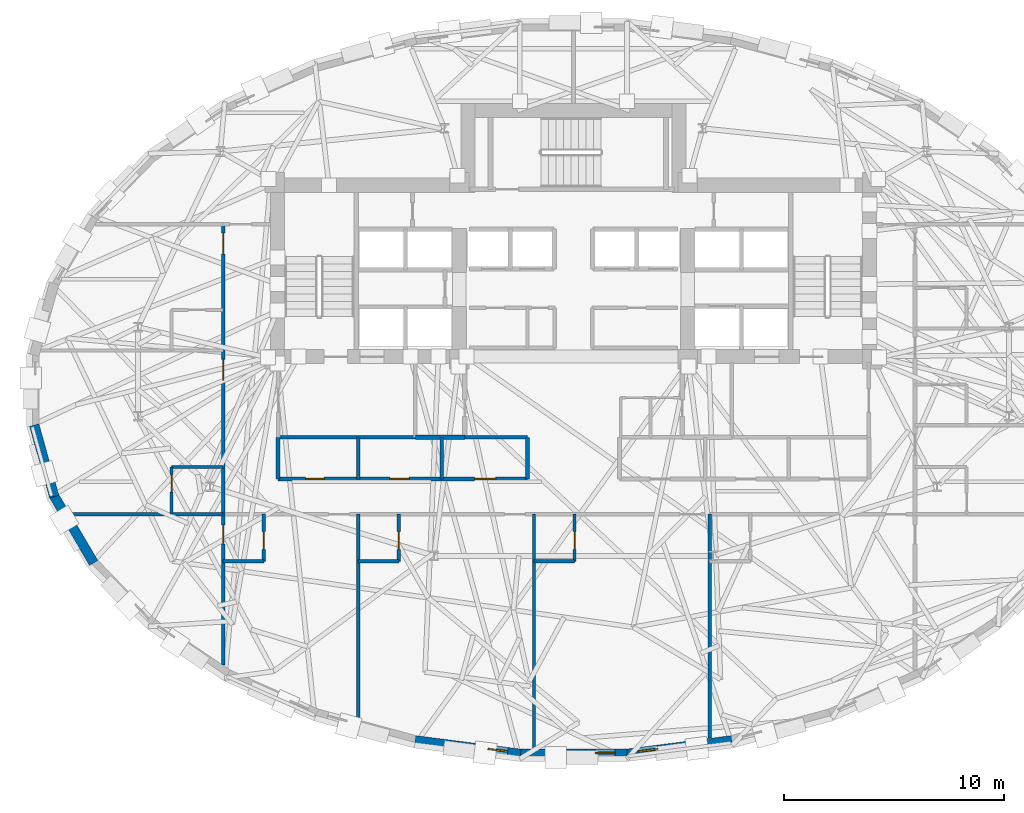
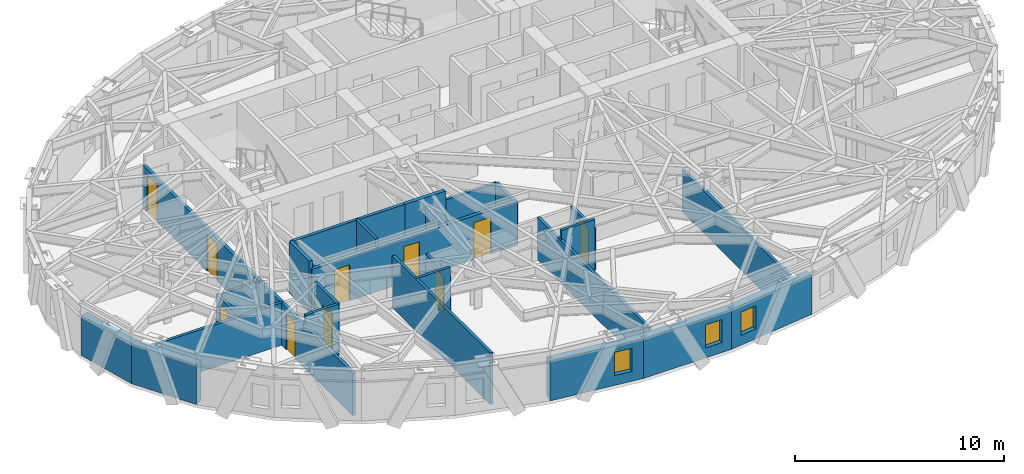
# One storey, part 6 of 15: 26 walls, 10 doors, 3 windows, 13 openings.
"""IFC4 building model written with IfcOpenShell, lengths in metres."""

import ifcopenshell
import ifcopenshell.guid

model = None  # the IFC model being written
_history = None  # IfcOwnerHistory: only IFC2X3 demands one
_inside = {}  # id of a spatial element -> (the spatial element, [elements in it])
_under = {}  # id of a project, library or spatial element -> (it, [spatial elements below it])
_declared = {}  # id of a project -> (the project, [libraries it declares])
_typed = {}  # id of a type object -> (the type object, [elements of that type])
_made_of = {}  # id of a material, layer set ... -> (it, [elements and type objects made of it])


def new_model(schema):
    """Start an empty IFC model of exactly this schema.

    Asked for "IFC4X3", IfcOpenShell would pick the latest addendum, in which some entities
    have other attributes; the version numbers below select the first issue.
    IFC2X3 requires an IfcOwnerHistory on every rooted entity: one is made here for all.
    """
    global model, _history
    if schema == "IFC4X3":
        model = ifcopenshell.file(schema_version=(4, 3, 0, 0))
    else:
        model = ifcopenshell.file(schema=schema)
    _inside.clear()
    _under.clear()
    _declared.clear()
    _typed.clear()
    _made_of.clear()
    _history = None
    if model.schema == "IFC2X3":
        org = make("IfcOrganization", Name="unknown")
        user = make(
            "IfcPersonAndOrganization",
            ThePerson=make("IfcPerson", FamilyName="unknown"),
            TheOrganization=org,
        )
        app = make(
            "IfcApplication",
            ApplicationDeveloper=org,
            Version="unknown",
            ApplicationFullName="unknown",
            ApplicationIdentifier="unknown",
        )
        _history = make(
            "IfcOwnerHistory",
            OwningUser=user,
            OwningApplication=app,
            ChangeAction="ADDED",
            CreationDate=0,
        )
    return model


def make(cls, **values):
    """One entity of the class cls with the attributes given. An attribute that is None is left unset."""
    return model.create_entity(
        cls, **{name: value for name, value in values.items() if value is not None}
    )


def rooted(cls, **values):
    """An entity with a GlobalId (a new one), such as an element, a storey or a relation."""
    return make(cls, GlobalId=ifcopenshell.guid.new(), OwnerHistory=_history, **values)


def si_unit(unit_type, name, prefix=None):
    """IfcSIUnit, for example si_unit("LENGTHUNIT", "METRE", prefix="MILLI")."""
    return make("IfcSIUnit", UnitType=unit_type, Prefix=prefix, Name=name)


def assignment(units):
    """IfcUnitAssignment: the units of a project."""
    return None if units is None else make("IfcUnitAssignment", Units=units)


def point(xyz):
    """IfcCartesianPoint."""
    return None if xyz is None else make("IfcCartesianPoint", Coordinates=xyz)


def direction(xyz):
    """IfcDirection."""
    return None if xyz is None else make("IfcDirection", DirectionRatios=xyz)


def frame(location, z_axis=None, x_axis=None):
    """IfcAxis2Placement3D, a coordinate frame: its origin and axes. An axis left out is left unset."""
    return make(
        "IfcAxis2Placement3D",
        Location=point(location),
        Axis=direction(z_axis),
        RefDirection=direction(x_axis),
    )


def frame_2d(location, x_axis=None):
    """IfcAxis2Placement2D, a coordinate frame in the plane: its origin and x axis."""
    return make(
        "IfcAxis2Placement2D", Location=point(location), RefDirection=direction(x_axis)
    )


def origin():
    """The frame at (0, 0, 0) with its axes left unset."""
    return frame((0.0, 0.0, 0.0))


def place(relative_to, where):
    """IfcLocalPlacement: puts the frame where relative to a parent placement (None: the world)."""
    return make(
        "IfcLocalPlacement", PlacementRelTo=relative_to, RelativePlacement=where
    )


def context(
    kind, dimensions, precision=None, world=None, true_north=None, identifier=None
):
    """IfcGeometricRepresentationContext, for example the 3D "Model" context."""
    return make(
        "IfcGeometricRepresentationContext",
        ContextIdentifier=identifier,
        ContextType=kind,
        CoordinateSpaceDimension=dimensions,
        Precision=precision,
        WorldCoordinateSystem=world,
        TrueNorth=true_north,
    )


def subcontext(parent, identifier, kind, view, scale=None):
    """IfcGeometricRepresentationSubContext, for example "Body" below "Model"."""
    return make(
        "IfcGeometricRepresentationSubContext",
        ContextIdentifier=identifier,
        ContextType=kind,
        ParentContext=parent,
        TargetScale=scale,
        TargetView=view,
    )


def project(units=None, contexts=None):
    """IfcProject with its units and contexts."""
    return rooted(
        "IfcProject",
        Name="project",
        RepresentationContexts=contexts,
        UnitsInContext=assignment(units),
    )


def spatial(cls, under=None, at=None, **own):
    """A site, building, storey or space (cls), placed at a placement, below another one or the project."""
    s = rooted(cls, ObjectPlacement=at, **own)
    if under is not None:
        _under.setdefault(under.id(), (under, []))[1].append(s)
    return s


def profile(cls, at=None, kind="AREA", **sizes):
    """A parametric profile (cls). Its sizes go by their IFC names, for example OverallWidth=200.0."""
    return make(cls, ProfileType=kind, Position=at, **sizes)


def rectangle(**sizes):
    """IfcRectangleProfileDef."""
    return profile("IfcRectangleProfileDef", **sizes)


def extrude(swept, where, along, depth):
    """IfcExtrudedAreaSolid: the profile swept, set in the frame where, extruded along a direction by depth."""
    return make(
        "IfcExtrudedAreaSolid",
        SweptArea=swept,
        Position=where,
        ExtrudedDirection=direction(along),
        Depth=depth,
    )


def shape(context_of_items, identifier, shape_type, items):
    """IfcShapeRepresentation: the items that make up one representation, for example the "Body"."""
    return make(
        "IfcShapeRepresentation",
        ContextOfItems=context_of_items,
        RepresentationIdentifier=identifier,
        RepresentationType=shape_type,
        Items=items,
    )


def material(Name=None, Category=None):
    """IfcMaterial."""
    return make("IfcMaterial", Name=Name, Category=Category)


def layer(
    of_material, thickness, ventilated=None, Name=None, Category=None, Priority=None
):
    """IfcMaterialLayer: one layer of a wall or slab, of a material (None: an air gap)."""
    return make(
        "IfcMaterialLayer",
        Material=of_material,
        LayerThickness=thickness,
        IsVentilated=ventilated,
        Name=Name,
        Category=Category,
        Priority=Priority,
    )


def layer_set(layers, Name=None):
    """IfcMaterialLayerSet."""
    return make("IfcMaterialLayerSet", MaterialLayers=layers, LayerSetName=Name)


def made_of(thing, what):
    """Note that an element or type object is made of a material, layer set ...; save() writes the relation."""
    if what is not None:
        _made_of.setdefault(what.id(), (what, []))[1].append(thing)
    return thing


def type_object(cls, material=None, **own):
    """A type object (cls), such as IfcWallType, which elements share."""
    return made_of(rooted(cls, **own), material)


def element(
    cls,
    number,
    at=None,
    inside=None,
    cuts=None,
    type_object=None,
    material=None,
    context=None,
    identifier="Body",
    shape_type=None,
    held_by="IfcProductDefinitionShape",
    body=None,
    shapes=None,
    **own,
):
    """One element of the class cls, such as IfcWall. Its Tag is "e" and its number.

    at: its placement. inside: the storey or other place that contains it. cuts: it is an
    opening in that element (IfcRelVoidsElement). A single representation is given by context,
    identifier, shape_type and body (its items); several are given by shapes. held_by: the class
    of the entity that holds the representations. save() writes the other relations.
    """
    e = rooted(cls, Tag="e%d" % number, ObjectPlacement=at, **own)
    if body is not None:
        shapes = [shape(context, identifier, shape_type, body)]
    if shapes is not None:
        e.Representation = make(held_by, Representations=shapes)
    if inside is not None:
        _inside.setdefault(inside.id(), (inside, []))[1].append(e)
    if cuts is not None:
        rooted(
            "IfcRelVoidsElement", RelatingBuildingElement=cuts, RelatedOpeningElement=e
        )
    if type_object is not None:
        _typed.setdefault(type_object.id(), (type_object, []))[1].append(e)
    return made_of(e, material)


def fill(opening, filler):
    """IfcRelFillsElement: the door or window that sits in an opening."""
    return rooted(
        "IfcRelFillsElement",
        RelatingOpeningElement=opening,
        RelatedBuildingElement=filler,
    )


def aggregate(whole, parts):
    """IfcRelAggregates: a whole, such as a stair, and the parts it consists of."""
    return rooted("IfcRelAggregates", RelatingObject=whole, RelatedObjects=parts)


def save(model, path):
    """Write the relations noted so far, then the file.

    IfcRelAggregates (storeys below a building ...), IfcRelContainedInSpatialStructure (elements
    in a storey), IfcRelDefinesByType, IfcRelAssociatesMaterial and IfcRelDeclares: one each for
    every whole, place, type object, material and project.
    """
    for whole, parts in _under.values():
        aggregate(whole, parts)
    for where, things in _inside.values():
        rooted(
            "IfcRelContainedInSpatialStructure",
            RelatedElements=things,
            RelatingStructure=where,
        )
    for kind, things in _typed.values():
        rooted("IfcRelDefinesByType", RelatedObjects=things, RelatingType=kind)
    for what, things in _made_of.values():
        rooted("IfcRelAssociatesMaterial", RelatedObjects=things, RelatingMaterial=what)
    for by, libraries in _declared.values():
        rooted("IfcRelDeclares", RelatingContext=by, RelatedDefinitions=libraries)
    model.write(path)


model = new_model("IFC4")

# Units and contexts
model_context = context("Model", 3, precision=1e-05, world=origin(), true_north=direction((0.0, 1.0)))
body_context = subcontext(model_context, "Body", "Model", "MODEL_VIEW")
ifc_project = project(units=[si_unit("LENGTHUNIT", "METRE"), si_unit("AREAUNIT", "SQUARE_METRE"), si_unit("VOLUMEUNIT", "CUBIC_METRE"), si_unit("PLANEANGLEUNIT", "RADIAN"), si_unit("MASSUNIT", "GRAM", prefix="KILO")], contexts=[model_context])

# Site, building, storey
site_placement = place(None, origin())
site = spatial("IfcSite", under=ifc_project, at=site_placement, CompositionType="ELEMENT")
building_placement = place(site_placement, origin())
building = spatial("IfcBuilding", under=site, at=building_placement, Name="Keldmark Tower", CompositionType="ELEMENT")
storey_placement = place(building_placement, frame((0.0, 0.0, 159.800048828125)))
storey = spatial("IfcBuildingStorey", under=building, at=storey_placement, Name="L43", CompositionType="ELEMENT", Elevation=159.800048828125)

# Wall, openings, doors
ifc_material_1 = material(Name="Heavy Acoustic Plumbing Chase Gypsum Assembly", Category="gypsum")
ifc_layer_1 = layer(ifc_material_1, 0.18994140625)
ifc_layer_set_1 = layer_set([ifc_layer_1], Name="Heavy Acoustic Plumbing Chase Gypsum Assembly")
wall_type_1 = type_object("IfcWallType", Name="Heavy Wet Wall 190 mm", PredefinedType="PLUMBINGWALL", material=ifc_layer_set_1)
wall_1_placement = place(storey_placement, frame((-13.449951171875, -4.050048828125, 0.0), z_axis=(0.0, 0.0, 1.0), x_axis=(1.0, 0.0, 0.0)))
wall_1 = element("IfcWall", 1, at=wall_1_placement, inside=storey, type_object=wall_type_1, Name="L43 Heavy Wet Wall 190 mm SPK-W-S", PredefinedType="PLUMBINGWALL", context=body_context, shape_type="SweptSolid", body=[
    extrude(rectangle(XDim=11.349853515625, YDim=0.18994140625, at=frame_2d((5.6748046875, 0.0))), origin(), (0.0, 0.0, 1.0), 2.554931640625),
])
opening_1_placement = place(wall_1_placement, frame((1.25, 0.0, 0.0)))
opening_1 = element("IfcOpeningElement", 2, at=opening_1_placement, cuts=wall_1, Name="Opening D-WC085", PredefinedType="OPENING", context=body_context, shape_type="SweptSolid", body=[
    extrude(rectangle(XDim=0.85009765625, YDim=2.10009765625, at=frame_2d((0.425048828125, 1.050048828125))), frame((0.0, 0.10498046875, 0.0), z_axis=(0.0, -1.0, 0.0), x_axis=(1.0, 0.0, 0.0)), (0.0, 0.0, 1.0), 0.2099609375),
])
opening_2_placement = place(wall_1_placement, frame((5.10009765625, 0.0, 0.0)))
opening_2 = element("IfcOpeningElement", 3, at=opening_2_placement, cuts=wall_1, Name="Opening D-WC085", PredefinedType="OPENING", context=body_context, shape_type="SweptSolid", body=[
    extrude(rectangle(XDim=0.85009765625, YDim=2.10009765625, at=frame_2d((0.425048828125, 1.050048828125))), frame((0.0, 0.10498046875, 0.0), z_axis=(0.0, -1.0, 0.0), x_axis=(1.0, 0.0, 0.0)), (0.0, 0.0, 1.0), 0.2099609375),
])
opening_3_placement = place(wall_1_placement, frame((8.949951171875, 0.0, 0.0)))
opening_3 = element("IfcOpeningElement", 4, at=opening_3_placement, cuts=wall_1, Name="Opening D-AWC95", PredefinedType="OPENING", context=body_context, shape_type="SweptSolid", body=[
    extrude(rectangle(XDim=0.949951171875, YDim=2.14990234375, at=frame_2d((0.47509765625, 1.074951171875))), frame((0.0, 0.10498046875, 0.0), z_axis=(0.0, -1.0, 0.0), x_axis=(1.0, 0.0, 0.0)), (0.0, 0.0, 1.0), 0.2099609375),
])
ifc_material_2 = material(Name="Painted Solid-Core Architectural Wood", Category="wood")
door_type_1 = type_object("IfcDoorType", Name="Accessible WC Door 950x2150", OperationType="NOTDEFINED", PredefinedType="DOOR", material=ifc_material_2)
door_1_placement = place(opening_3_placement, origin())
door_1 = element("IfcDoor", 5, at=door_1_placement, inside=storey, type_object=door_type_1, Name="L43 Accessible WC Door 950x2150 D-SPKW3-L43", OperationType="SINGLE_SWING_LEFT", OverallHeight=2.14990234375, OverallWidth=0.949951171875, PredefinedType="DOOR", context=body_context, shape_type="SweptSolid", body=[
    extrude(rectangle(XDim=0.949951171875, YDim=2.14990234375, at=frame_2d((0.47509765625, 1.074951171875))), frame((0.0, 0.02490234375, 0.0), z_axis=(0.0, -1.0, 0.0), x_axis=(1.0, 0.0, 0.0)), (0.0, 0.0, 1.0), 0.050048828125),
])
fill(opening_3, door_1)
ifc_material_3 = material(Name="Moisture-Sealed Painted Wood", Category="wood")
door_type_2 = type_object("IfcDoorType", Name="WC Door 850x2100", OperationType="NOTDEFINED", PredefinedType="DOOR", material=ifc_material_3)
door_2_placement = place(opening_1_placement, origin())
door_2 = element("IfcDoor", 6, at=door_2_placement, inside=storey, type_object=door_type_2, Name="L43 WC Door 850x2100 D-SPKW1-L43", OperationType="SINGLE_SWING_LEFT", OverallHeight=2.10009765625, OverallWidth=0.85009765625, PredefinedType="DOOR", context=body_context, shape_type="SweptSolid", body=[
    extrude(rectangle(XDim=0.85009765625, YDim=2.10009765625, at=frame_2d((0.425048828125, 1.050048828125))), frame((0.0, 0.02490234375, 0.0), z_axis=(0.0, -1.0, 0.0), x_axis=(1.0, 0.0, 0.0)), (0.0, 0.0, 1.0), 0.050048828125),
])
fill(opening_1, door_2)
door_3_placement = place(opening_2_placement, origin())
door_3 = element("IfcDoor", 7, at=door_3_placement, inside=storey, type_object=door_type_2, Name="L43 WC Door 850x2100 D-SPKW2-L43", OperationType="SINGLE_SWING_RIGHT", OverallHeight=2.10009765625, OverallWidth=0.85009765625, PredefinedType="DOOR", context=body_context, shape_type="SweptSolid", body=[
    extrude(rectangle(XDim=0.85009765625, YDim=2.10009765625, at=frame_2d((0.425048828125, 1.050048828125))), frame((0.0, 0.02490234375, 0.0), z_axis=(0.0, -1.0, 0.0), x_axis=(1.0, 0.0, 0.0)), (0.0, 0.0, 1.0), 0.050048828125),
])
fill(opening_2, door_3)

# Walls
wall_2_placement = place(storey_placement, frame((-13.449951171875, -4.050048828125, 0.0), z_axis=(0.0, 0.0, 1.0), x_axis=(0.0, 1.0, 0.0)))
element("IfcWall", 8, at=wall_2_placement, inside=storey, type_object=wall_type_1, Name="L43 Heavy Wet Wall 190 mm SPK-W-W", PredefinedType="PLUMBINGWALL", context=body_context, shape_type="SweptSolid", body=[
    extrude(rectangle(XDim=1.900146484375, YDim=0.18994140625, at=frame_2d((0.9501953125, 0.0))), origin(), (0.0, 0.0, 1.0), 3.02001953125),
])
wall_3_placement = place(storey_placement, frame((-2.10009765625, -4.050048828125, 0.0), z_axis=(0.0, 0.0, 1.0), x_axis=(0.0, 1.0, 0.0)))
element("IfcWall", 9, at=wall_3_placement, inside=storey, type_object=wall_type_1, Name="L43 Heavy Wet Wall 190 mm SPK-W-E", PredefinedType="PLUMBINGWALL", context=body_context, shape_type="SweptSolid", body=[
    extrude(rectangle(XDim=1.900146484375, YDim=0.18994140625, at=frame_2d((0.9501953125, 0.0))), origin(), (0.0, 0.0, 1.0), 2.472900390625),
])
ifc_material_4 = material(Name="Type X Fire-Rated Gypsum Partition Assembly", Category="gypsum")
ifc_layer_2 = layer(ifc_material_4, 0.1650390625)
ifc_layer_set_2 = layer_set([ifc_layer_2], Name="Type X Fire-Rated Gypsum Partition Assembly")
wall_type_2 = type_object("IfcWallType", Name="Rated Partition 165 mm", PredefinedType="PARTITIONING", material=ifc_layer_set_2)
wall_4_placement = place(storey_placement, frame((-13.449951171875, -2.14990234375, 0.0), z_axis=(0.0, 0.0, 1.0), x_axis=(1.0, 0.0, 0.0)))
element("IfcWall", 10, at=wall_4_placement, inside=storey, type_object=wall_type_2, Name="L43 Rated Partition 165 mm FSAE-W-S", PredefinedType="PARTITIONING", context=body_context, shape_type="SweptSolid", body=[
    extrude(rectangle(XDim=6.25, YDim=0.1650390625, at=frame_2d((3.125, 0.0))), origin(), (0.0, 0.0, 1.0), 3.02001953125),
])

# Wall, openings, doors
wall_5_placement = place(storey_placement, frame((-15.949951171875, -12.528076171875, 0.0), z_axis=(0.0, 0.0, 1.0), x_axis=(0.0, 1.0, 0.0)))
wall_5 = element("IfcWall", 11, at=wall_5_placement, inside=storey, type_object=wall_type_2, Name="L43 Rated Partition 165 mm HCOR-W", PredefinedType="PARTITIONING", context=body_context, shape_type="SweptSolid", body=[
    extrude(rectangle(XDim=20.078125, YDim=0.1650390625, at=frame_2d((10.0390625, 0.0))), origin(), (0.0, 0.0, 1.0), 2.472900390625),
])
opening_4_placement = place(wall_5_placement, frame((5.527587890625, 0.0, 0.0)))
opening_4 = element("IfcOpeningElement", 12, at=opening_4_placement, cuts=wall_5, Name="Opening D-IN085", PredefinedType="OPENING", context=body_context, shape_type="SweptSolid", body=[
    extrude(rectangle(XDim=0.85009765625, YDim=2.10009765625, at=frame_2d((0.425048828125, 1.050048828125))), frame((0.0, 0.092529296875, 0.0), z_axis=(0.0, -1.0, 0.0), x_axis=(1.0, 0.0, 0.0)), (0.0, 0.0, 1.0), 0.18505859375),
])
opening_5_placement = place(wall_5_placement, frame((12.977783203125, 0.0, 0.0)))
opening_5 = element("IfcOpeningElement", 13, at=opening_5_placement, cuts=wall_5, Name="Opening D-HT095", PredefinedType="OPENING", context=body_context, shape_type="SweptSolid", body=[
    extrude(rectangle(XDim=0.949951171875, YDim=2.14990234375, at=frame_2d((0.47509765625, 1.074951171875))), frame((0.0, 0.092529296875, 0.0), z_axis=(0.0, -1.0, 0.0), x_axis=(1.0, 0.0, 0.0)), (0.0, 0.0, 1.0), 0.18505859375),
])
opening_6_placement = place(wall_5_placement, frame((18.727783203125, 0.0, 0.0)))
opening_6 = element("IfcOpeningElement", 14, at=opening_6_placement, cuts=wall_5, Name="Opening D-HT095", PredefinedType="OPENING", context=body_context, shape_type="SweptSolid", body=[
    extrude(rectangle(XDim=0.949951171875, YDim=2.14990234375, at=frame_2d((0.47509765625, 1.074951171875))), frame((0.0, 0.092529296875, 0.0), z_axis=(0.0, -1.0, 0.0), x_axis=(1.0, 0.0, 0.0)), (0.0, 0.0, 1.0), 0.18505859375),
])
ifc_material_5 = material(Name="Solid-Core Acoustic White Oak Fire-Rated Assembly", Category="wood")
door_type_3 = type_object("IfcDoorType", Name="Hotel Entry Door 950x2150", OperationType="NOTDEFINED", PredefinedType="DOOR", material=ifc_material_5)
door_4_placement = place(opening_5_placement, origin())
door_4 = element("IfcDoor", 15, at=door_4_placement, inside=storey, type_object=door_type_3, Name="L43 Hotel Entry Door 950x2150 D-HR-5-L43", OperationType="SINGLE_SWING_RIGHT", OverallHeight=2.14990234375, OverallWidth=0.949951171875, PredefinedType="DOOR", context=body_context, shape_type="SweptSolid", body=[
    extrude(rectangle(XDim=0.949951171875, YDim=2.14990234375, at=frame_2d((0.47509765625, 1.074951171875))), frame((0.0, 0.02490234375, 0.0), z_axis=(0.0, -1.0, 0.0), x_axis=(1.0, 0.0, 0.0)), (0.0, 0.0, 1.0), 0.050048828125),
])
fill(opening_5, door_4)
door_5_placement = place(opening_6_placement, origin())
door_5 = element("IfcDoor", 16, at=door_5_placement, inside=storey, type_object=door_type_3, Name="L43 Hotel Entry Door 950x2150 D-HR-6-L43", OperationType="SINGLE_SWING_RIGHT", OverallHeight=2.14990234375, OverallWidth=0.949951171875, PredefinedType="DOOR", context=body_context, shape_type="SweptSolid", body=[
    extrude(rectangle(XDim=0.949951171875, YDim=2.14990234375, at=frame_2d((0.47509765625, 1.074951171875))), frame((0.0, 0.02490234375, 0.0), z_axis=(0.0, -1.0, 0.0), x_axis=(1.0, 0.0, 0.0)), (0.0, 0.0, 1.0), 0.050048828125),
])
fill(opening_6, door_5)
ifc_material_6 = material(Name="Painted Architectural Wood", Category="wood")
door_type_4 = type_object("IfcDoorType", Name="Interior Door 850x2100", OperationType="NOTDEFINED", PredefinedType="DOOR", material=ifc_material_6)
door_6_placement = place(opening_4_placement, origin())
door_6 = element("IfcDoor", 17, at=door_6_placement, inside=storey, type_object=door_type_4, Name="L43 Interior Door 850x2100 D-HKSW-L43", OperationType="SINGLE_SWING_LEFT", OverallHeight=2.10009765625, OverallWidth=0.85009765625, PredefinedType="DOOR", context=body_context, shape_type="SweptSolid", body=[
    extrude(rectangle(XDim=0.85009765625, YDim=2.10009765625, at=frame_2d((0.425048828125, 1.050048828125))), frame((0.0, 0.02490234375, 0.0), z_axis=(0.0, -1.0, 0.0), x_axis=(1.0, 0.0, 0.0)), (0.0, 0.0, 1.0), 0.050048828125),
])
fill(opening_4, door_6)

# Walls
ifc_material_7 = material(Name="Fire-Resistant Type X Gypsum Shaftliner Coreboard", Category="gypsum")
ifc_layer_3 = layer(ifc_material_7, 0.199951171875)
ifc_layer_set_3 = layer_set([ifc_layer_3], Name="Fire-Resistant Type X Gypsum Shaftliner Coreboard")
wall_type_3 = type_object("IfcWallType", Name="Shaft Wall 200 mm", PredefinedType="SOLIDWALL", material=ifc_layer_set_3)
wall_6_placement = place(storey_placement, frame((-7.199951171875, -2.14990234375, 0.0), z_axis=(0.0, 0.0, 1.0), x_axis=(1.0, 0.0, 0.0)))
element("IfcWall", 18, at=wall_6_placement, inside=storey, type_object=wall_type_3, Name="L43 Shaft Wall 200 mm RIS-SW-S", PredefinedType="SOLIDWALL", context=body_context, shape_type="SweptSolid", body=[
    extrude(rectangle(XDim=2.25, YDim=0.199951171875, at=frame_2d((1.125, 0.0))), origin(), (0.0, 0.0, 1.0), 3.02001953125),
])
ifc_material_8 = material(Name="Ironspot Manganese Brick and Kasota Buff Limestone Spandrel Assembly", Category="masonry")
ifc_layer_4 = layer(ifc_material_8, 0.43994140625)
ifc_layer_set_4 = layer_set([ifc_layer_4], Name="Ironspot Manganese Brick and Kasota Buff Limestone Spandrel Assembly")
wall_type_4 = type_object("IfcWallType", Name="Tower Brick Pier and Spandrel Wall 440 mm", PredefinedType="STANDARD", material=ifc_layer_set_4)
wall_7_placement = place(storey_placement, frame((-23.64501953125, -4.846435546875, 0.0), z_axis=(0.0, 0.0, 1.0), x_axis=(-0.269235699479, 0.963074315993, 0.0)))
element("IfcWall", 19, at=wall_7_placement, inside=storey, type_object=wall_type_4, Name="L43 Exterior Brick and Spandrel Wall 17", PredefinedType="STANDARD", context=body_context, shape_type="SweptSolid", body=[
    extrude(rectangle(XDim=3.376953125, YDim=0.43994140625, at=frame_2d((1.6884765625, 0.0))), origin(), (0.0, 0.0, 1.0), 2.31494140625),
])
wall_8_placement = place(storey_placement, frame((-21.847412109375, -7.87255859375, 0.0), z_axis=(0.0, 0.0, 1.0), x_axis=(-0.508883387051, 0.860835465338, 0.0)))
element("IfcWall", 20, at=wall_8_placement, inside=storey, type_object=wall_type_4, Name="L43 Exterior Brick and Spandrel Wall 18", PredefinedType="STANDARD", context=body_context, shape_type="SweptSolid", body=[
    extrude(rectangle(XDim=3.57666015625, YDim=0.43994140625, at=frame_2d((1.788330078125, 0.0))), origin(), (0.0, 0.0, 1.0), 2.31494140625),
])

# Wall, opening, window
wall_9_placement = place(storey_placement, frame((-2.4111328125, -16.56982421875, 0.0), z_axis=(0.0, 0.0, 1.0), x_axis=(-0.991852910824, 0.127388395426, 0.0)))
wall_9 = element("IfcWall", 21, at=wall_9_placement, inside=storey, type_object=wall_type_4, Name="L43 Exterior Brick and Spandrel Wall 23", PredefinedType="STANDARD", context=body_context, shape_type="SweptSolid", body=[
    extrude(rectangle(XDim=4.837158203125, YDim=0.43994140625, at=frame_2d((2.41845703125, 0.0))), origin(), (0.0, 0.0, 1.0), 2.31494140625),
])
opening_7_placement = place(wall_9_placement, frame((0.598388671875, 0.0, 0.580078125)))
opening_7 = element("IfcOpeningElement", 22, at=opening_7_placement, cuts=wall_9, Name="Opening W-09", PredefinedType="OPENING", context=body_context, shape_type="SweptSolid", body=[
    extrude(rectangle(XDim=0.89990234375, YDim=1.35009765625, at=frame_2d((0.449951171875, 0.675048828125))), frame((0.0, 0.22998046875, 0.0), z_axis=(0.0, -1.0, 0.0), x_axis=(1.0, 0.0, 0.0)), (0.0, 0.0, 1.0), 0.4599609375),
])
ifc_material_9 = material(Name="Thermally Broken Anodized Aluminum and Triple Low-E Argon Glazing", Category="aluminium")
window_type = type_object("IfcWindowType", Name="Corner Pier Deep-Set Window 900x1350", PartitioningType="SINGLE_PANEL", PredefinedType="WINDOW", material=ifc_material_9)
window_1_placement = place(opening_7_placement, origin())
window_1 = element("IfcWindow", 23, at=window_1_placement, inside=storey, type_object=window_type, Name="L43 Deep-Set Window 23", OverallHeight=1.35009765625, OverallWidth=0.89990234375, PartitioningType="SINGLE_PANEL", PredefinedType="WINDOW", context=body_context, shape_type="SweptSolid", body=[
    extrude(rectangle(XDim=0.89990234375, YDim=1.35009765625, at=frame_2d((0.449951171875, 0.675048828125))), frame((0.0, -0.010009765625, 0.0), z_axis=(0.0, -1.0, 0.0), x_axis=(1.0, 0.0, 0.0)), (0.0, 0.0, 1.0), 0.06005859375),
])
fill(opening_7, window_1)

wall_10_placement = place(storey_placement, frame((2.439208984375, -16.568115234375, 0.0), z_axis=(0.0, 0.0, 1.0), x_axis=(-1.0, 0.0, 0.0)))
wall_10 = element("IfcWall", 24, at=wall_10_placement, inside=storey, type_object=wall_type_4, Name="L43 Exterior Brick and Spandrel Wall 24", PredefinedType="STANDARD", context=body_context, shape_type="SweptSolid", body=[
    extrude(rectangle(XDim=4.87841796875, YDim=0.43994140625, at=frame_2d((2.439208984375, 0.0))), origin(), (0.0, 0.0, 1.0), 2.31494140625),
])
opening_8_placement = place(wall_10_placement, frame((0.5478515625, 0.0, 0.580078125)))
opening_8 = element("IfcOpeningElement", 25, at=opening_8_placement, cuts=wall_10, Name="Opening W-09", PredefinedType="OPENING", context=body_context, shape_type="SweptSolid", body=[
    extrude(rectangle(XDim=0.89990234375, YDim=1.35009765625, at=frame_2d((0.449951171875, 0.675048828125))), frame((0.0, 0.22998046875, 0.0), z_axis=(0.0, -1.0, 0.0), x_axis=(1.0, 0.0, 0.0)), (0.0, 0.0, 1.0), 0.4599609375),
])
window_2_placement = place(opening_8_placement, origin())
window_2 = element("IfcWindow", 26, at=window_2_placement, inside=storey, type_object=window_type, Name="L43 Deep-Set Window 24", OverallHeight=1.35009765625, OverallWidth=0.89990234375, PartitioningType="SINGLE_PANEL", PredefinedType="WINDOW", context=body_context, shape_type="SweptSolid", body=[
    extrude(rectangle(XDim=0.89990234375, YDim=1.35009765625, at=frame_2d((0.449951171875, 0.675048828125))), frame((0.0, -0.010009765625, 0.0), z_axis=(0.0, -1.0, 0.0), x_axis=(1.0, 0.0, 0.0)), (0.0, 0.0, 1.0), 0.06005859375),
])
fill(opening_8, window_2)

wall_11_placement = place(storey_placement, frame((7.208984375, -15.95361328125, 0.0), z_axis=(0.0, 0.0, 1.0), x_axis=(-0.991852910824, -0.127388395426, 0.0)))
wall_11 = element("IfcWall", 27, at=wall_11_placement, inside=storey, type_object=wall_type_4, Name="L43 Exterior Brick and Spandrel Wall 25", PredefinedType="STANDARD", context=body_context, shape_type="SweptSolid", body=[
    extrude(rectangle(XDim=4.837158203125, YDim=0.43994140625, at=frame_2d((2.41845703125, 0.0))), origin(), (0.0, 0.0, 1.0), 2.31494140625),
])
opening_9_placement = place(wall_11_placement, frame((3.388427734375, 0.0, 0.580078125)))
opening_9 = element("IfcOpeningElement", 28, at=opening_9_placement, cuts=wall_11, Name="Opening W-09", PredefinedType="OPENING", context=body_context, shape_type="SweptSolid", body=[
    extrude(rectangle(XDim=0.89990234375, YDim=1.35009765625, at=frame_2d((0.449951171875, 0.675048828125))), frame((0.0, 0.22998046875, 0.0), z_axis=(0.0, -1.0, 0.0), x_axis=(1.0, 0.0, 0.0)), (0.0, 0.0, 1.0), 0.4599609375),
])
window_3_placement = place(opening_9_placement, origin())
window_3 = element("IfcWindow", 29, at=window_3_placement, inside=storey, type_object=window_type, Name="L43 Deep-Set Window 25", OverallHeight=1.35009765625, OverallWidth=0.89990234375, PartitioningType="SINGLE_PANEL", PredefinedType="WINDOW", context=body_context, shape_type="SweptSolid", body=[
    extrude(rectangle(XDim=0.89990234375, YDim=1.35009765625, at=frame_2d((0.449951171875, 0.675048828125))), frame((0.0, -0.010009765625, 0.0), z_axis=(0.0, -1.0, 0.0), x_axis=(1.0, 0.0, 0.0)), (0.0, 0.0, 1.0), 0.06005859375),
])
fill(opening_9, window_3)

# Walls
ifc_material_10 = material(Name="Moisture-Resistant Gypsum Plumbing Partition", Category="gypsum")
ifc_layer_5 = layer(ifc_material_10, 0.14990234375)
ifc_layer_set_5 = layer_set([ifc_layer_5], Name="Moisture-Resistant Gypsum Plumbing Partition")
wall_type_5 = type_object("IfcWallType", Name="Wet Wall 150 mm", PredefinedType="PLUMBINGWALL", material=ifc_layer_set_5)
wall_12_placement = place(storey_placement, frame((-4.949951171875, -2.14990234375, 0.0), z_axis=(0.0, 0.0, 1.0), x_axis=(1.0, 0.0, 0.0)))
element("IfcWall", 30, at=wall_12_placement, inside=storey, type_object=wall_type_5, Name="L43 Wet Wall 150 mm SPK-W-N", PredefinedType="PLUMBINGWALL", context=body_context, shape_type="SweptSolid", body=[
    extrude(rectangle(XDim=2.849853515625, YDim=0.14990234375, at=frame_2d((1.4248046875, 0.0))), origin(), (0.0, 0.0, 1.0), 2.472900390625),
])
wall_13_placement = place(storey_placement, frame((-9.800048828125, -4.050048828125, 0.0), z_axis=(0.0, 0.0, 1.0), x_axis=(0.0, 1.0, 0.0)))
element("IfcWall", 31, at=wall_13_placement, inside=storey, type_object=wall_type_5, Name="L43 Wet Wall 150 mm SPK-W-D1", PredefinedType="PLUMBINGWALL", context=body_context, shape_type="SweptSolid", body=[
    extrude(rectangle(XDim=1.900146484375, YDim=0.14990234375, at=frame_2d((0.9501953125, 0.0))), origin(), (0.0, 0.0, 1.0), 3.02001953125),
])
wall_14_placement = place(storey_placement, frame((-6.0, -4.050048828125, 0.0), z_axis=(0.0, 0.0, 1.0), x_axis=(0.0, 1.0, 0.0)))
element("IfcWall", 32, at=wall_14_placement, inside=storey, type_object=wall_type_5, Name="L43 Wet Wall 150 mm SPK-W-D2", PredefinedType="PLUMBINGWALL", context=body_context, shape_type="SweptSolid", body=[
    extrude(rectangle(XDim=1.900146484375, YDim=0.14990234375, at=frame_2d((0.9501953125, 0.0))), origin(), (0.0, 0.0, 1.0), 2.472900390625),
])
wall_15_placement = place(storey_placement, frame((-22.896484375, -5.64990234375, 0.0), z_axis=(0.0, 0.0, 1.0), x_axis=(1.0, 0.0, 0.0)))
element("IfcWall", 33, at=wall_15_placement, inside=storey, type_object=wall_type_5, Name="L43 Wet Wall 150 mm HW-CAP-S", PredefinedType="PLUMBINGWALL", context=body_context, shape_type="SweptSolid", body=[
    extrude(rectangle(XDim=6.946533203125, YDim=0.14990234375, at=frame_2d((3.47314453125, 0.0))), origin(), (0.0, 0.0, 1.0), 2.472900390625),
])
wall_16_placement = place(storey_placement, frame((-9.800048828125, -15.011474609375, 0.0), z_axis=(0.0, 0.0, 1.0), x_axis=(0.0, 1.0, 0.0)))
element("IfcWall", 34, at=wall_16_placement, inside=storey, type_object=wall_type_5, Name="L43 Wet Wall 150 mm HS-DIV-1", PredefinedType="PLUMBINGWALL", context=body_context, shape_type="SweptSolid", body=[
    extrude(rectangle(XDim=9.361572265625, YDim=0.14990234375, at=frame_2d((4.6806640625, 0.0))), origin(), (0.0, 0.0, 1.0), 3.02001953125),
])
wall_17_placement = place(storey_placement, frame((-1.800048828125, -16.340087890625, 0.0), z_axis=(0.0, 0.0, 1.0), x_axis=(0.0, 1.0, 0.0)))
element("IfcWall", 35, at=wall_17_placement, inside=storey, type_object=wall_type_5, Name="L43 Wet Wall 150 mm HS-DIV-2", PredefinedType="PLUMBINGWALL", context=body_context, shape_type="SweptSolid", body=[
    extrude(rectangle(XDim=10.690185546875, YDim=0.14990234375, at=frame_2d((5.34521484375, 0.0))), origin(), (0.0, 0.0, 1.0), 2.472900390625),
])
wall_18_placement = place(storey_placement, frame((6.199951171875, -15.853271484375, 0.0), z_axis=(0.0, 0.0, 1.0), x_axis=(0.0, 1.0, 0.0)))
element("IfcWall", 36, at=wall_18_placement, inside=storey, type_object=wall_type_5, Name="L43 Wet Wall 150 mm HS-DIV-3", PredefinedType="PLUMBINGWALL", context=body_context, shape_type="SweptSolid", body=[
    extrude(rectangle(XDim=10.203369140625, YDim=0.14990234375, at=frame_2d((5.1015625, 0.0))), origin(), (0.0, 0.0, 1.0), 2.472900390625),
])

# Wall, opening, door
wall_19_placement = place(storey_placement, frame((-14.10009765625, -7.800048828125, 0.0), z_axis=(0.0, 0.0, 1.0), x_axis=(0.0, 1.0, 0.0)))
wall_19 = element("IfcWall", 37, at=wall_19_placement, inside=storey, type_object=wall_type_5, Name="L43 Wet Wall 150 mm HB-S1-E", PredefinedType="PLUMBINGWALL", context=body_context, shape_type="SweptSolid", body=[
    extrude(rectangle(XDim=2.150146484375, YDim=0.14990234375, at=frame_2d((1.0751953125, 0.0))), origin(), (0.0, 0.0, 1.0), 3.02001953125),
])
opening_10_placement = place(wall_19_placement, frame((0.550048828125, 0.0, 0.0)))
opening_10 = element("IfcOpeningElement", 38, at=opening_10_placement, cuts=wall_19, Name="Opening D-BT080", PredefinedType="OPENING", context=body_context, shape_type="SweptSolid", body=[
    extrude(rectangle(XDim=0.800048828125, YDim=2.10009765625, at=frame_2d((0.39990234375, 1.050048828125))), frame((0.0, 0.0849609375, 0.0), z_axis=(0.0, -1.0, 0.0), x_axis=(1.0, 0.0, 0.0)), (0.0, 0.0, 1.0), 0.169921875),
])
ifc_material_11 = material(Name="Moisture-Sealed Stained Wood", Category="wood")
door_type_5 = type_object("IfcDoorType", Name="Bathroom Door 800x2100", OperationType="NOTDEFINED", PredefinedType="DOOR", material=ifc_material_11)
door_7_placement = place(opening_10_placement, origin())
door_7 = element("IfcDoor", 39, at=door_7_placement, inside=storey, type_object=door_type_5, Name="L43 Bathroom Door 800x2100 D-HBS1-L43", OperationType="SINGLE_SWING_RIGHT", OverallHeight=2.10009765625, OverallWidth=0.800048828125, PredefinedType="DOOR", context=body_context, shape_type="SweptSolid", body=[
    extrude(rectangle(XDim=0.800048828125, YDim=2.10009765625, at=frame_2d((0.39990234375, 1.050048828125))), frame((0.0, 0.02490234375, 0.0), z_axis=(0.0, -1.0, 0.0), x_axis=(1.0, 0.0, 0.0)), (0.0, 0.0, 1.0), 0.050048828125),
])
fill(opening_10, door_7)

# Wall
wall_20_placement = place(storey_placement, frame((-15.949951171875, -7.800048828125, 0.0), z_axis=(0.0, 0.0, 1.0), x_axis=(1.0, 0.0, 0.0)))
element("IfcWall", 40, at=wall_20_placement, inside=storey, type_object=wall_type_5, Name="L43 Wet Wall 150 mm HB-S1-S", PredefinedType="PLUMBINGWALL", context=body_context, shape_type="SweptSolid", body=[
    extrude(rectangle(XDim=1.849853515625, YDim=0.14990234375, at=frame_2d((0.9248046875, 0.0))), origin(), (0.0, 0.0, 1.0), 3.02001953125),
])

# Wall, opening, door
wall_21_placement = place(storey_placement, frame((-7.949951171875, -7.800048828125, 0.0), z_axis=(0.0, 0.0, 1.0), x_axis=(0.0, 1.0, 0.0)))
wall_21 = element("IfcWall", 41, at=wall_21_placement, inside=storey, type_object=wall_type_5, Name="L43 Wet Wall 150 mm HB-S2-E", PredefinedType="PLUMBINGWALL", context=body_context, shape_type="SweptSolid", body=[
    extrude(rectangle(XDim=2.150146484375, YDim=0.14990234375, at=frame_2d((1.0751953125, 0.0))), origin(), (0.0, 0.0, 1.0), 2.472900390625),
])
opening_11_placement = place(wall_21_placement, frame((0.550048828125, 0.0, 0.0)))
opening_11 = element("IfcOpeningElement", 42, at=opening_11_placement, cuts=wall_21, Name="Opening D-BT080", PredefinedType="OPENING", context=body_context, shape_type="SweptSolid", body=[
    extrude(rectangle(XDim=0.800048828125, YDim=2.10009765625, at=frame_2d((0.39990234375, 1.050048828125))), frame((0.0, 0.0849609375, 0.0), z_axis=(0.0, -1.0, 0.0), x_axis=(1.0, 0.0, 0.0)), (0.0, 0.0, 1.0), 0.169921875),
])
door_8_placement = place(opening_11_placement, origin())
door_8 = element("IfcDoor", 43, at=door_8_placement, inside=storey, type_object=door_type_5, Name="L43 Bathroom Door 800x2100 D-HBS2-L43", OperationType="SINGLE_SWING_RIGHT", OverallHeight=2.10009765625, OverallWidth=0.800048828125, PredefinedType="DOOR", context=body_context, shape_type="SweptSolid", body=[
    extrude(rectangle(XDim=0.800048828125, YDim=2.10009765625, at=frame_2d((0.39990234375, 1.050048828125))), frame((0.0, 0.02490234375, 0.0), z_axis=(0.0, -1.0, 0.0), x_axis=(1.0, 0.0, 0.0)), (0.0, 0.0, 1.0), 0.050048828125),
])
fill(opening_11, door_8)

# Wall
wall_22_placement = place(storey_placement, frame((-9.800048828125, -7.800048828125, 0.0), z_axis=(0.0, 0.0, 1.0), x_axis=(1.0, 0.0, 0.0)))
element("IfcWall", 44, at=wall_22_placement, inside=storey, type_object=wall_type_5, Name="L43 Wet Wall 150 mm HB-S2-S", PredefinedType="PLUMBINGWALL", context=body_context, shape_type="SweptSolid", body=[
    extrude(rectangle(XDim=1.85009765625, YDim=0.14990234375, at=frame_2d((0.925048828125, 0.0))), origin(), (0.0, 0.0, 1.0), 3.02001953125),
])

# Wall, opening, door
wall_23_placement = place(storey_placement, frame((0.050048828125, -7.800048828125, 0.0), z_axis=(0.0, 0.0, 1.0), x_axis=(0.0, 1.0, 0.0)))
wall_23 = element("IfcWall", 45, at=wall_23_placement, inside=storey, type_object=wall_type_5, Name="L43 Wet Wall 150 mm HB-S3-E", PredefinedType="PLUMBINGWALL", context=body_context, shape_type="SweptSolid", body=[
    extrude(rectangle(XDim=2.150146484375, YDim=0.14990234375, at=frame_2d((1.0751953125, 0.0))), origin(), (0.0, 0.0, 1.0), 2.472900390625),
])
opening_12_placement = place(wall_23_placement, frame((0.550048828125, 0.0, 0.0)))
opening_12 = element("IfcOpeningElement", 46, at=opening_12_placement, cuts=wall_23, Name="Opening D-BT080", PredefinedType="OPENING", context=body_context, shape_type="SweptSolid", body=[
    extrude(rectangle(XDim=0.800048828125, YDim=2.10009765625, at=frame_2d((0.39990234375, 1.050048828125))), frame((0.0, 0.0849609375, 0.0), z_axis=(0.0, -1.0, 0.0), x_axis=(1.0, 0.0, 0.0)), (0.0, 0.0, 1.0), 0.169921875),
])
door_9_placement = place(opening_12_placement, origin())
door_9 = element("IfcDoor", 47, at=door_9_placement, inside=storey, type_object=door_type_5, Name="L43 Bathroom Door 800x2100 D-HBS3-L43", OperationType="SINGLE_SWING_RIGHT", OverallHeight=2.10009765625, OverallWidth=0.800048828125, PredefinedType="DOOR", context=body_context, shape_type="SweptSolid", body=[
    extrude(rectangle(XDim=0.800048828125, YDim=2.10009765625, at=frame_2d((0.39990234375, 1.050048828125))), frame((0.0, 0.02490234375, 0.0), z_axis=(0.0, -1.0, 0.0), x_axis=(1.0, 0.0, 0.0)), (0.0, 0.0, 1.0), 0.050048828125),
])
fill(opening_12, door_9)

# Walls
wall_24_placement = place(storey_placement, frame((-1.800048828125, -7.800048828125, 0.0), z_axis=(0.0, 0.0, 1.0), x_axis=(1.0, 0.0, 0.0)))
element("IfcWall", 48, at=wall_24_placement, inside=storey, type_object=wall_type_5, Name="L43 Wet Wall 150 mm HB-S3-S", PredefinedType="PLUMBINGWALL", context=body_context, shape_type="SweptSolid", body=[
    extrude(rectangle(XDim=1.85009765625, YDim=0.14990234375, at=frame_2d((0.925048828125, 0.0))), origin(), (0.0, 0.0, 1.0), 3.02001953125),
])
wall_25_placement = place(storey_placement, frame((-18.300048828125, -3.5, 0.0), z_axis=(0.0, 0.0, 1.0), x_axis=(1.0, 0.0, 0.0)))
element("IfcWall", 49, at=wall_25_placement, inside=storey, type_object=wall_type_5, Name="L43 Wet Wall 150 mm HB-5-N", PredefinedType="PLUMBINGWALL", context=body_context, shape_type="SweptSolid", body=[
    extrude(rectangle(XDim=2.35009765625, YDim=0.14990234375, at=frame_2d((1.175048828125, 0.0))), origin(), (0.0, 0.0, 1.0), 2.39794921875),
])

# Wall, opening, door
wall_26_placement = place(storey_placement, frame((-18.300048828125, -5.64990234375, 0.0), z_axis=(0.0, 0.0, 1.0), x_axis=(0.0, 1.0, 0.0)))
wall_26 = element("IfcWall", 50, at=wall_26_placement, inside=storey, type_object=wall_type_5, Name="L43 Wet Wall 150 mm HB-5-IN", PredefinedType="PLUMBINGWALL", context=body_context, shape_type="SweptSolid", body=[
    extrude(rectangle(XDim=2.14990234375, YDim=0.14990234375, at=frame_2d((1.074951171875, 0.0))), origin(), (0.0, 0.0, 1.0), 2.472900390625),
])
opening_13_placement = place(wall_26_placement, frame((1.0, 0.0, 0.0)))
opening_13 = element("IfcOpeningElement", 51, at=opening_13_placement, cuts=wall_26, Name="Opening D-BT080", PredefinedType="OPENING", context=body_context, shape_type="SweptSolid", body=[
    extrude(rectangle(XDim=0.800048828125, YDim=2.10009765625, at=frame_2d((0.39990234375, 1.050048828125))), frame((0.0, 0.0849609375, 0.0), z_axis=(0.0, -1.0, 0.0), x_axis=(1.0, 0.0, 0.0)), (0.0, 0.0, 1.0), 0.169921875),
])
door_10_placement = place(opening_13_placement, origin())
door_10 = element("IfcDoor", 52, at=door_10_placement, inside=storey, type_object=door_type_5, Name="L43 Bathroom Door 800x2100 D-HB-5-L43", OperationType="SINGLE_SWING_LEFT", OverallHeight=2.10009765625, OverallWidth=0.800048828125, PredefinedType="DOOR", context=body_context, shape_type="SweptSolid", body=[
    extrude(rectangle(XDim=0.800048828125, YDim=2.10009765625, at=frame_2d((0.39990234375, 1.050048828125))), frame((0.0, 0.02490234375, 0.0), z_axis=(0.0, -1.0, 0.0), x_axis=(1.0, 0.0, 0.0)), (0.0, 0.0, 1.0), 0.050048828125),
])
fill(opening_13, door_10)

save(model, "model.ifc")
